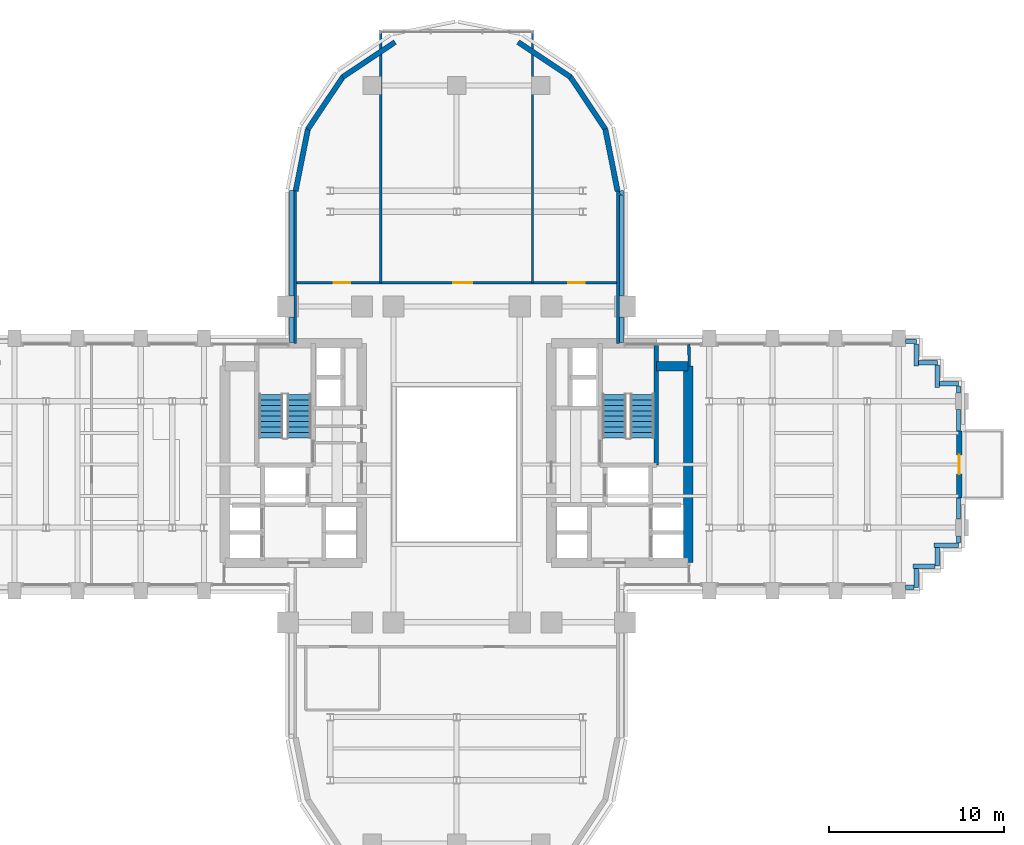
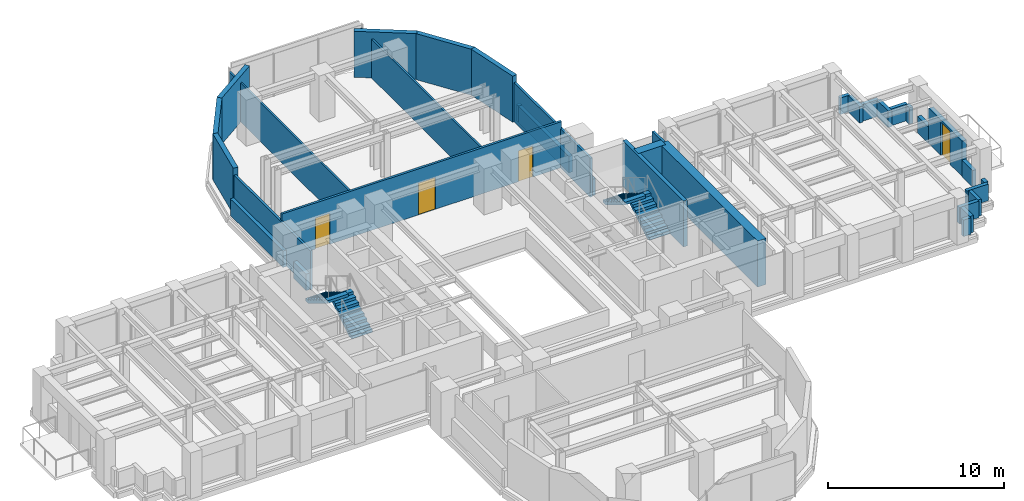
# One storey, part 12 of 15: 35 walls, 4 doors, 4 stair flights, 4 openings, 2 elements without a shape of their own.
"""IFC4 building model written with IfcOpenShell, lengths in metres."""

from ifc_helpers import new_model, si_unit, direction, frame, frame_2d, origin, place, context, subcontext, project, spatial, polyline, rectangle, outline, extrude, source, transform, mapped, material, layer, layer_set, type_object, element, fill, aggregate, save


model = new_model("IFC4")

# Units and contexts
model_context = context("Model", 3, precision=1e-05, world=origin(), true_north=direction((0.0, 1.0)))
body_context = subcontext(model_context, "Body", "Model", "MODEL_VIEW")
ifc_project = project(units=[si_unit("LENGTHUNIT", "METRE"), si_unit("AREAUNIT", "SQUARE_METRE"), si_unit("VOLUMEUNIT", "CUBIC_METRE"), si_unit("PLANEANGLEUNIT", "RADIAN"), si_unit("MASSUNIT", "GRAM", prefix="KILO")], contexts=[model_context])

# Site, building, storey
site_placement = place(None, origin())
site = spatial("IfcSite", under=ifc_project, at=site_placement, CompositionType="ELEMENT")
building_placement = place(site_placement, origin())
building = spatial("IfcBuilding", under=site, at=building_placement, Name="Keilestroom Media Tower", CompositionType="ELEMENT")
storey_placement = place(building_placement, frame((0.0, 0.0, 40.800048828125)))
storey = spatial("IfcBuildingStorey", under=building, at=storey_placement, Name="L09", CompositionType="ELEMENT", Elevation=40.800048828125)

# Walls
ifc_material_1 = material(Name="Precast concrete C40/50", Category="concrete")
ifc_layer_1 = layer(ifc_material_1, 0.300048828125)
ifc_layer_set_1 = layer_set([ifc_layer_1], Name="Precast concrete C40/50")
wall_type_1 = type_object("IfcWallType", Name="Exterior-Masonry-Spandrel-Wall-300", PredefinedType="SOLIDWALL", material=ifc_layer_set_1)
for number, where, z_axis, x_axis, name in (
    (1, (9.1748046875, 15.585205078125, 0.0), (0.0, 0.0, 1.0), (-0.195114232679, 0.980780523974, 0.0), "L09 Lobe Facet Precast Frame Wall 01"),
    (2, (8.48193359375, 19.097412109375, 0.0), (0.0, 0.0, 1.0), (-0.555574187116, 0.831466970246, 0.0), "L09 Lobe Facet Precast Frame Wall 02"),
):
    element("IfcWall", number, at=place(storey_placement, frame(where, z_axis=z_axis, x_axis=x_axis)), inside=storey, type_object=wall_type_1, Name=name, PredefinedType="SOLIDWALL", context=body_context, shape_type="SweptSolid", body=[
        extrude(rectangle(XDim=3.608642578125, YDim=0.300048828125, at=frame_2d((1.80419921875, 0.0))), origin(), (0.0, 0.0, 1.0), 3.199951171875),
    ])
for number, where, z_axis, x_axis, name in (
    (3, (6.497802734375, 22.0771484375, 0.0), (0.0, 0.0, 1.0), (-0.8314749531, 0.555562239868, 0.0), "L09 Lobe Facet Precast Frame Wall 03"),
    (4, (-3.510009765625, 24.073486328125, 0.0), (0.0, 0.0, 1.0), (-0.8314749531, -0.555562239868, 0.0), "L09 Lobe Facet Precast Frame Wall 04"),
):
    element("IfcWall", number, at=place(storey_placement, frame(where, z_axis=z_axis, x_axis=x_axis)), inside=storey, type_object=wall_type_1, Name=name, PredefinedType="SOLIDWALL", context=body_context, shape_type="SweptSolid", body=[
        extrude(rectangle(XDim=3.59326171875, YDim=0.300048828125, at=frame_2d((1.796630859375, 0.0))), origin(), (0.0, 0.0, 1.0), 3.199951171875),
    ])
for number, where, z_axis, x_axis, name in (
    (5, (-6.47705078125, 22.097900390625, 0.0), (0.0, 0.0, 1.0), (-0.555574187116, -0.831466970246, 0.0), "L09 Lobe Facet Precast Frame Wall 05"),
    (6, (-8.470703125, 19.12451171875, 0.0), (0.0, 0.0, 1.0), (-0.195114232679, -0.980780523974, 0.0), "L09 Lobe Facet Precast Frame Wall 06"),
):
    element("IfcWall", number, at=place(storey_placement, frame(where, z_axis=z_axis, x_axis=x_axis)), inside=storey, type_object=wall_type_1, Name=name, PredefinedType="SOLIDWALL", context=body_context, shape_type="SweptSolid", body=[
        extrude(rectangle(XDim=3.608642578125, YDim=0.300048828125, at=frame_2d((1.80419921875, 0.0))), origin(), (0.0, 0.0, 1.0), 3.199951171875),
    ])

# Wall, opening, door
wall_1_placement = place(storey_placement, frame((28.64990234375, -1.89990234375, 0.0), z_axis=(0.0, 0.0, 1.0), x_axis=(0.0, 1.0, 0.0)))
wall_1 = element("IfcWall", 7, at=wall_1_placement, inside=storey, type_object=wall_type_1, Name="L09 Terrace Threshold Wall L09-E", PredefinedType="SOLIDWALL", context=body_context, shape_type="SweptSolid", body=[
    extrude(rectangle(XDim=3.7998046875, YDim=0.300048828125, at=frame_2d((1.89990234375, 0.0))), origin(), (0.0, 0.0, 1.0), 2.449951171875),
])
opening_1_placement = place(wall_1_placement, frame((1.35009765625, 0.0, 0.0)))
opening_1 = element("IfcOpeningElement", 8, at=opening_1_placement, cuts=wall_1, Name="Opening DE-02", PredefinedType="OPENING", context=body_context, shape_type="SweptSolid", body=[
    extrude(rectangle(XDim=1.10009765625, YDim=2.300048828125, at=frame_2d((0.550048828125, 1.14990234375))), frame((0.0, 0.16015625, 0.0), z_axis=(0.0, -1.0, 0.0), x_axis=(1.0, 0.0, 0.0)), (0.0, 0.0, 1.0), 0.320068359375),
])
ifc_material_2 = material(Name="Thermally Broken Aluminium & Laminated Glass", Category="aluminium")
door_type_1 = type_object("IfcDoorType", Name="Exterior-Entrance-And-Terrace-Door-DE-02", OperationType="NOTDEFINED", PredefinedType="DOOR", material=ifc_material_2)
shared_shape_1 = source(origin(), body_context, "Body", "SweptSolid", [
    extrude(rectangle(XDim=1.10009765625, YDim=2.300048828125, at=frame_2d((0.550048828125, 1.14990234375))), frame((0.0, 0.02490234375, 0.0), z_axis=(0.0, -1.0, 0.0), x_axis=(1.0, 0.0, 0.0)), (0.0, 0.0, 1.0), 0.050048828125),
])
door_1_placement = place(opening_1_placement, frame((1.10009765625, 0.0, 0.0), z_axis=(0.0, 0.0, 1.0), x_axis=(-1.0, 0.0, 0.0)))
door_1 = element("IfcDoor", 9, at=door_1_placement, inside=storey, type_object=door_type_1, Name="L09 Terrace Access Door DE-02 L09-E", OperationType="SINGLE_SWING_RIGHT", OverallHeight=2.300048828125, OverallWidth=1.10009765625, PredefinedType="DOOR", context=body_context, shape_type="MappedRepresentation", body=[
    mapped(shared_shape_1, transform((0.0, 0.0, 0.0), x_axis=(1.0, 0.0, 0.0), y_axis=(0.0, 1.0, 0.0), z_axis=(0.0, 0.0, 1.0), scale=1.0)),
])
fill(opening_1, door_1)

# Walls
ifc_material_3 = material(Name="Gypsum Plasterboard & Steel Stud", Category="steel")
ifc_layer_2 = layer(ifc_material_3, 0.1201171875)
ifc_layer_set_2 = layer_set([ifc_layer_2], Name="Gypsum Plasterboard & Steel Stud")
wall_type_2 = type_object("IfcWallType", Name="Interior-Partition-Wall-120", PredefinedType="PARTITIONING", material=ifc_layer_set_2)
for number, where, z_axis, x_axis, name in (
    (10, (-4.320068359375, 10.35009765625, 0.0), (0.0, 0.0, 1.0), (0.0, 1.0, 0.0), "L09 Interior Wall WP-L09-NL-VW"),
    (11, (4.320068359375, 10.35009765625, 0.0), (0.0, 0.0, 1.0), (0.0, 1.0, 0.0), "L09 Interior Wall WP-L09-NL-VE"),
):
    element("IfcWall", number, at=place(storey_placement, frame(where, z_axis=z_axis, x_axis=x_axis)), inside=storey, type_object=wall_type_2, Name=name, PredefinedType="PARTITIONING", context=body_context, shape_type="SweptSolid", body=[
        extrude(rectangle(XDim=14.2998046875, YDim=0.1201171875, at=frame_2d((7.14990234375, 0.0))), origin(), (0.0, 0.0, 1.0), 2.7099609375),
    ])

# Wall, openings, doors
ifc_layer_3 = layer(ifc_material_3, 0.14990234375)
ifc_layer_set_3 = layer_set([ifc_layer_3], Name="Gypsum Plasterboard & Steel Stud")
wall_type_3 = type_object("IfcWallType", Name="Interior-Partition-Wall-150", PredefinedType="PARTITIONING", material=ifc_layer_set_3)
wall_2_placement = place(storey_placement, frame((-9.199951171875, 10.35009765625, 0.0), z_axis=(0.0, 0.0, 1.0), x_axis=(1.0, 0.0, 0.0)))
wall_2 = element("IfcWall", 12, at=wall_2_placement, inside=storey, type_object=wall_type_3, Name="L09 Interior Wall WP-L09-NL-BASE", PredefinedType="PARTITIONING", context=body_context, shape_type="SweptSolid", body=[
    extrude(rectangle(XDim=18.39990234375, YDim=0.14990234375, at=frame_2d((9.199951171875, 0.0))), origin(), (0.0, 0.0, 1.0), 3.199951171875),
])
opening_2_placement = place(wall_2_placement, frame((2.199951171875, 0.0, 0.0)))
opening_2 = element("IfcOpeningElement", 13, at=opening_2_placement, cuts=wall_2, Name="Opening DI-03", PredefinedType="OPENING", context=body_context, shape_type="SweptSolid", body=[
    extrude(rectangle(XDim=0.949951171875, YDim=2.14990234375, at=frame_2d((0.47509765625, 1.074951171875))), frame((0.0, 0.0849609375, 0.0), z_axis=(0.0, -1.0, 0.0), x_axis=(1.0, 0.0, 0.0)), (0.0, 0.0, 1.0), 0.169921875),
])
opening_3_placement = place(wall_2_placement, frame((9.0, 0.0, 0.0)))
opening_3 = element("IfcOpeningElement", 14, at=opening_3_placement, cuts=wall_2, Name="Opening DI-04", PredefinedType="OPENING", context=body_context, shape_type="SweptSolid", body=[
    extrude(rectangle(XDim=1.10009765625, YDim=2.199951171875, at=frame_2d((0.550048828125, 1.10009765625))), frame((0.0, 0.0849609375, 0.0), z_axis=(0.0, -1.0, 0.0), x_axis=(1.0, 0.0, 0.0)), (0.0, 0.0, 1.0), 0.169921875),
])
opening_4_placement = place(wall_2_placement, frame((15.550048828125, 0.0, 0.0)))
opening_4 = element("IfcOpeningElement", 15, at=opening_4_placement, cuts=wall_2, Name="Opening DI-03", PredefinedType="OPENING", context=body_context, shape_type="SweptSolid", body=[
    extrude(rectangle(XDim=0.949951171875, YDim=2.14990234375, at=frame_2d((0.47509765625, 1.074951171875))), frame((0.0, 0.0849609375, 0.0), z_axis=(0.0, -1.0, 0.0), x_axis=(1.0, 0.0, 0.0)), (0.0, 0.0, 1.0), 0.169921875),
])
ifc_material_4 = material(Name="Lacquered European Oak Leaf", Category="wood")
door_type_2 = type_object("IfcDoorType", Name="Interior-Room-And-Suite-Door-DI-03", OperationType="NOTDEFINED", PredefinedType="DOOR", material=ifc_material_4)
shared_shape_2 = source(origin(), body_context, "Body", "SweptSolid", [
    extrude(rectangle(XDim=0.949951171875, YDim=2.14990234375, at=frame_2d((0.47509765625, 1.074951171875))), frame((0.0, 0.02490234375, 0.0), z_axis=(0.0, -1.0, 0.0), x_axis=(1.0, 0.0, 0.0)), (0.0, 0.0, 1.0), 0.050048828125),
])
door_2_placement = place(opening_2_placement, origin())
door_2 = element("IfcDoor", 16, at=door_2_placement, inside=storey, type_object=door_type_2, Name="L09 Interior Door DI-L09-DNL-W", OperationType="SINGLE_SWING_LEFT", OverallHeight=2.14990234375, OverallWidth=0.949951171875, PredefinedType="DOOR", context=body_context, shape_type="MappedRepresentation", body=[
    mapped(shared_shape_2, transform((0.0, 0.0, 0.0), x_axis=(1.0, 0.0, 0.0), y_axis=(0.0, 1.0, 0.0), z_axis=(0.0, 0.0, 1.0), scale=1.0)),
])
fill(opening_2, door_2)
door_3_placement = place(opening_4_placement, origin())
door_3 = element("IfcDoor", 17, at=door_3_placement, inside=storey, type_object=door_type_2, Name="L09 Interior Door DI-L09-DNL-E", OperationType="SINGLE_SWING_LEFT", OverallHeight=2.14990234375, OverallWidth=0.949951171875, PredefinedType="DOOR", context=body_context, shape_type="MappedRepresentation", body=[
    mapped(shared_shape_2, transform((0.0, 0.0, 0.0), x_axis=(1.0, 0.0, 0.0), y_axis=(0.0, 1.0, 0.0), z_axis=(0.0, 0.0, 1.0), scale=1.0)),
])
fill(opening_4, door_3)
ifc_material_5 = material(Name="Acoustic Glazed Aluminium Leaf", Category="aluminium")
door_type_3 = type_object("IfcDoorType", Name="Interior-Room-And-Suite-Door-DI-04", OperationType="NOTDEFINED", PredefinedType="DOOR", material=ifc_material_5)
shared_shape_3 = source(origin(), body_context, "Body", "SweptSolid", [
    extrude(rectangle(XDim=1.10009765625, YDim=2.199951171875, at=frame_2d((0.550048828125, 1.10009765625))), frame((0.0, 0.02490234375, 0.0), z_axis=(0.0, -1.0, 0.0), x_axis=(1.0, 0.0, 0.0)), (0.0, 0.0, 1.0), 0.050048828125),
])
door_4_placement = place(opening_3_placement, origin())
door_4 = element("IfcDoor", 18, at=door_4_placement, inside=storey, type_object=door_type_3, Name="L09 Interior Door DI-L09-DNL-C", OperationType="SINGLE_SWING_RIGHT", OverallHeight=2.199951171875, OverallWidth=1.10009765625, PredefinedType="DOOR", context=body_context, shape_type="MappedRepresentation", body=[
    mapped(shared_shape_3, transform((0.0, 0.0, 0.0), x_axis=(1.0, 0.0, 0.0), y_axis=(0.0, 1.0, 0.0), z_axis=(0.0, 0.0, 1.0), scale=1.0)),
])
fill(opening_3, door_4)

# Walls
for number, where, z_axis, x_axis, name in (
    (19, (-9.199951171875, 6.89990234375, 0.0), (0.0, 0.0, 1.0), (0.0, 1.0, 0.0), "L09 Interior Wall WP-L09-NL-CHKW"),
    (20, (9.199951171875, 6.89990234375, 0.0), (0.0, 0.0, 1.0), (0.0, 1.0, 0.0), "L09 Interior Wall WP-L09-NL-CHKE"),
):
    element("IfcWall", number, at=place(storey_placement, frame(where, z_axis=z_axis, x_axis=x_axis)), inside=storey, type_object=wall_type_3, Name=name, PredefinedType="PARTITIONING", context=body_context, shape_type="SweptSolid", body=[
        extrude(rectangle(XDim=8.780029296875, YDim=0.14990234375, at=frame_2d((4.39013671875, 0.0))), origin(), (0.0, 0.0, 1.0), 2.7099609375),
    ])
wall_3_placement = place(storey_placement, frame((13.260009765625, 5.60009765625, 0.0), z_axis=(0.0, 0.0, 1.0), x_axis=(-0.016013571389, 0.999871774545, 0.0)))
element("IfcWall", 21, at=wall_3_placement, inside=storey, type_object=wall_type_3, Name="L09 Interior Wall WP-L09-EA-ENTN", PredefinedType="PARTITIONING", context=body_context, shape_type="SweptSolid", body=[
    extrude(rectangle(XDim=1.250244140625, YDim=0.14990234375, at=frame_2d((0.625, 0.0))), origin(), (0.0, 0.0, 1.0), 3.199951171875),
])
ifc_material_6 = material(Name="Concrete C70/85", Category="concrete")
ifc_layer_4 = layer(ifc_material_6, 0.550048828125)
ifc_layer_set_4 = layer_set([ifc_layer_4], Name="Concrete C70/85")
wall_type_4 = type_object("IfcWallType", Name="Reinforced-Concrete-Core-Shear-Wall-550", PredefinedType="SHEAR", material=ifc_layer_set_4)
wall_4_placement = place(storey_placement, frame((13.199951171875, -5.60009765625, 0.0), z_axis=(0.0, 0.0, 1.0), x_axis=(0.0, 1.0, 0.0)))
element("IfcWall", 22, at=wall_4_placement, inside=storey, type_object=wall_type_4, Name="L09 Core Shear Wall WL-L09-CORE-E-OUT", PredefinedType="SHEAR", context=body_context, shape_type="SweptSolid", body=[
    extrude(rectangle(XDim=11.2001953125, YDim=0.550048828125, at=frame_2d((5.60009765625, 0.0))), origin(), (0.0, 0.0, 1.0), 3.199951171875),
])
wall_5_placement = place(storey_placement, frame((11.381103515625, 5.60009765625, 0.0), z_axis=(0.0, 0.0, 1.0), x_axis=(1.0, 0.0, 0.0)))
element("IfcWall", 23, at=wall_5_placement, inside=storey, type_object=wall_type_4, Name="L09 Core Shear Wall WL-L09-CNE-N", PredefinedType="SHEAR", context=body_context, shape_type="SweptSolid", body=[
    extrude(rectangle(XDim=1.81884765625, YDim=0.550048828125, at=frame_2d((0.909423828125, 0.0))), origin(), (0.0, 0.0, 1.0), 3.199951171875),
])
ifc_material_7 = material(Name="Concrete C50/60", Category="concrete")
ifc_layer_5 = layer(ifc_material_7, 0.25)
ifc_layer_set_5 = layer_set([ifc_layer_5], Name="Concrete C50/60")
wall_type_5 = type_object("IfcWallType", Name="Reinforced-Concrete-Shaft-Wall-250", PredefinedType="SOLIDWALL", material=ifc_layer_set_5)
wall_6_placement = place(storey_placement, frame((11.381103515625, -0.041015625, 0.0), z_axis=(0.0, 0.0, 1.0), x_axis=(0.0, 1.0, 0.0)))
element("IfcWall", 24, at=wall_6_placement, inside=storey, type_object=wall_type_5, Name="L09 Core Shear Wall WL-L09-STW-E-FAR", PredefinedType="SOLIDWALL", context=body_context, shape_type="SweptSolid", body=[
    extrude(rectangle(XDim=6.94091796875, YDim=0.25, at=frame_2d((3.470458984375, 0.0))), origin(), (0.0, 0.0, 1.0), 3.199951171875),
])
ifc_layer_6 = layer(ifc_material_1, 0.239990234375)
ifc_layer_set_6 = layer_set([ifc_layer_6], Name="Precast concrete C40/50")
wall_type_6 = type_object("IfcWallType", Name="Roof-And-Terrace-Parapet-Wall-240", PredefinedType="PARAPET", material=ifc_layer_set_6)
wall_7_placement = place(storey_placement, frame((28.60009765625, -4.60009765625, 0.0), z_axis=(0.0, 0.0, 1.0), x_axis=(-1.0, 0.0, 0.0)))
element("IfcWall", 25, at=wall_7_placement, inside=storey, type_object=wall_type_6, Name="L09 Perimeter Edge Parapet Wall 01", PredefinedType="PARAPET", context=body_context, shape_type="SweptSolid", body=[
    extrude(rectangle(XDim=1.400146484375, YDim=0.239990234375, at=frame_2d((0.7001953125, 0.0))), origin(), (0.0, 0.0, 1.0), 1.14990234375),
])
wall_8_placement = place(storey_placement, frame((27.39990234375, -4.722900390625, 0.0), z_axis=(0.0, 0.0, 1.0), x_axis=(0.0, -1.0, 0.0)))
element("IfcWall", 26, at=wall_8_placement, inside=storey, type_object=wall_type_6, Name="L09 Perimeter Edge Parapet Wall 02", PredefinedType="PARAPET", context=body_context, shape_type="SweptSolid", body=[
    extrude(rectangle(XDim=1.0771484375, YDim=0.239990234375, at=frame_2d((0.53857421875, 0.0))), origin(), (0.0, 0.0, 1.0), 1.14990234375),
])
wall_9_placement = place(storey_placement, frame((27.277099609375, -5.800048828125, 0.0), z_axis=(0.0, 0.0, 1.0), x_axis=(-1.0, 0.0, 0.0)))
element("IfcWall", 27, at=wall_9_placement, inside=storey, type_object=wall_type_6, Name="L09 Perimeter Edge Parapet Wall 03", PredefinedType="PARAPET", context=body_context, shape_type="SweptSolid", body=[
    extrude(rectangle(XDim=1.277099609375, YDim=0.239990234375, at=frame_2d((0.638671875, 0.0))), origin(), (0.0, 0.0, 1.0), 1.14990234375),
])
wall_10_placement = place(storey_placement, frame((26.199951171875, -5.923095703125, 0.0), z_axis=(0.0, 0.0, 1.0), x_axis=(0.0, -1.0, 0.0)))
element("IfcWall", 28, at=wall_10_placement, inside=storey, type_object=wall_type_6, Name="L09 Perimeter Edge Parapet Wall 04", PredefinedType="PARAPET", context=body_context, shape_type="SweptSolid", body=[
    extrude(rectangle(XDim=1.076904296875, YDim=0.239990234375, at=frame_2d((0.53857421875, 0.0))), origin(), (0.0, 0.0, 1.0), 1.14990234375),
])
wall_11_placement = place(storey_placement, frame((26.076904296875, -7.0, 0.0), z_axis=(0.0, 0.0, 1.0), x_axis=(-1.0, 0.0, 0.0)))
element("IfcWall", 29, at=wall_11_placement, inside=storey, type_object=wall_type_6, Name="L09 Perimeter Edge Parapet Wall 05", PredefinedType="PARAPET", context=body_context, shape_type="SweptSolid", body=[
    extrude(rectangle(XDim=0.4990234375, YDim=0.239990234375, at=frame_2d((0.24951171875, 0.0))), origin(), (0.0, 0.0, 1.0), 1.14990234375),
])
wall_12_placement = place(storey_placement, frame((-9.39990234375, 6.952880859375, 0.0), z_axis=(0.0, 0.0, 1.0), x_axis=(0.0, 1.0, 0.0)))
element("IfcWall", 30, at=wall_12_placement, inside=storey, type_object=wall_type_6, Name="L09 Perimeter Edge Parapet Wall 26", PredefinedType="PARAPET", context=body_context, shape_type="SweptSolid", body=[
    extrude(rectangle(XDim=1.444091796875, YDim=0.239990234375, at=frame_2d((0.72216796875, 0.0))), origin(), (0.0, 0.0, 1.0), 1.14990234375),
])
wall_13_placement = place(storey_placement, frame((-9.39990234375, 9.60302734375, 0.0), z_axis=(0.0, 0.0, 1.0), x_axis=(0.0, 1.0, 0.0)))
element("IfcWall", 31, at=wall_13_placement, inside=storey, type_object=wall_type_6, Name="L09 Perimeter Edge Parapet Wall 27", PredefinedType="PARAPET", context=body_context, shape_type="SweptSolid", body=[
    extrude(rectangle(XDim=5.999755859375, YDim=0.239990234375, at=frame_2d((3.0, 0.0))), origin(), (0.0, 0.0, 1.0), 1.14990234375),
])
wall_14_placement = place(storey_placement, frame((9.395263671875, 15.604248046875, 0.0), z_axis=(0.0, 0.0, 1.0), x_axis=(0.194652052864, -0.980872355771, 0.0)))
element("IfcWall", 32, at=wall_14_placement, inside=storey, type_object=wall_type_6, Name="L09 Perimeter Edge Parapet Wall 28", PredefinedType="PARAPET", context=body_context, shape_type="SweptSolid", body=[
    extrude(rectangle(XDim=0.224609375, YDim=0.239990234375, at=frame_2d((0.1123046875, 0.0))), origin(), (0.0, 0.0, 1.0), 1.14990234375),
])
wall_15_placement = place(storey_placement, frame((9.39990234375, 15.357666015625, 0.0), z_axis=(0.0, 0.0, 1.0), x_axis=(0.0, -1.0, 0.0)))
element("IfcWall", 33, at=wall_15_placement, inside=storey, type_object=wall_type_6, Name="L09 Perimeter Edge Parapet Wall 29", PredefinedType="PARAPET", context=body_context, shape_type="SweptSolid", body=[
    extrude(rectangle(XDim=5.754638671875, YDim=0.239990234375, at=frame_2d((2.87744140625, 0.0))), origin(), (0.0, 0.0, 1.0), 1.14990234375),
])
wall_16_placement = place(storey_placement, frame((9.39990234375, 8.39697265625, 0.0), z_axis=(0.0, 0.0, 1.0), x_axis=(0.0, -1.0, 0.0)))
element("IfcWall", 34, at=wall_16_placement, inside=storey, type_object=wall_type_6, Name="L09 Perimeter Edge Parapet Wall 30", PredefinedType="PARAPET", context=body_context, shape_type="SweptSolid", body=[
    extrude(rectangle(XDim=1.444091796875, YDim=0.239990234375, at=frame_2d((0.72216796875, 0.0))), origin(), (0.0, 0.0, 1.0), 1.14990234375),
])
wall_17_placement = place(storey_placement, frame((25.577880859375, 7.0, 0.0), z_axis=(0.0, 0.0, 1.0), x_axis=(1.0, 0.0, 0.0)))
element("IfcWall", 35, at=wall_17_placement, inside=storey, type_object=wall_type_6, Name="L09 Perimeter Edge Parapet Wall 31", PredefinedType="PARAPET", context=body_context, shape_type="SweptSolid", body=[
    extrude(rectangle(XDim=0.6220703125, YDim=0.239990234375, at=frame_2d((0.31103515625, 0.0))), origin(), (0.0, 0.0, 1.0), 1.14990234375),
])
wall_18_placement = place(storey_placement, frame((26.199951171875, 6.876953125, 0.0), z_axis=(0.0, 0.0, 1.0), x_axis=(0.0, -1.0, 0.0)))
element("IfcWall", 36, at=wall_18_placement, inside=storey, type_object=wall_type_6, Name="L09 Perimeter Edge Parapet Wall 32", PredefinedType="PARAPET", context=body_context, shape_type="SweptSolid", body=[
    extrude(rectangle(XDim=1.27685546875, YDim=0.239990234375, at=frame_2d((0.638427734375, 0.0))), origin(), (0.0, 0.0, 1.0), 1.14990234375),
])
wall_19_placement = place(storey_placement, frame((26.322998046875, 5.800048828125, 0.0), z_axis=(0.0, 0.0, 1.0), x_axis=(1.0, 0.0, 0.0)))
element("IfcWall", 37, at=wall_19_placement, inside=storey, type_object=wall_type_6, Name="L09 Perimeter Edge Parapet Wall 33", PredefinedType="PARAPET", context=body_context, shape_type="SweptSolid", body=[
    extrude(rectangle(XDim=1.076904296875, YDim=0.239990234375, at=frame_2d((0.53857421875, 0.0))), origin(), (0.0, 0.0, 1.0), 1.14990234375),
])
wall_20_placement = place(storey_placement, frame((27.39990234375, 5.677001953125, 0.0), z_axis=(0.0, 0.0, 1.0), x_axis=(0.0, -1.0, 0.0)))
element("IfcWall", 38, at=wall_20_placement, inside=storey, type_object=wall_type_6, Name="L09 Perimeter Edge Parapet Wall 34", PredefinedType="PARAPET", context=body_context, shape_type="SweptSolid", body=[
    extrude(rectangle(XDim=1.277099609375, YDim=0.239990234375, at=frame_2d((0.638671875, 0.0))), origin(), (0.0, 0.0, 1.0), 1.14990234375),
])
wall_21_placement = place(storey_placement, frame((27.52294921875, 4.60009765625, 0.0), z_axis=(0.0, 0.0, 1.0), x_axis=(1.0, 0.0, 0.0)))
element("IfcWall", 39, at=wall_21_placement, inside=storey, type_object=wall_type_6, Name="L09 Perimeter Edge Parapet Wall 35", PredefinedType="PARAPET", context=body_context, shape_type="SweptSolid", body=[
    extrude(rectangle(XDim=1.0771484375, YDim=0.239990234375, at=frame_2d((0.53857421875, 0.0))), origin(), (0.0, 0.0, 1.0), 1.14990234375),
])
wall_22_placement = place(storey_placement, frame((28.60009765625, 4.47705078125, 0.0), z_axis=(0.0, 0.0, 1.0), x_axis=(0.0, -1.0, 0.0)))
element("IfcWall", 40, at=wall_22_placement, inside=storey, type_object=wall_type_6, Name="L09 Perimeter Edge Parapet Wall 36", PredefinedType="PARAPET", context=body_context, shape_type="SweptSolid", body=[
    extrude(rectangle(XDim=0.399169921875, YDim=0.239990234375, at=frame_2d((0.19970703125, 0.0))), origin(), (0.0, 0.0, 1.0), 1.14990234375),
])
for number, where, z_axis, x_axis, name in (
    (41, (28.60009765625, 3.1220703125, 0.0), (0.0, 0.0, 1.0), (0.0, -1.0, 0.0), "L09 Perimeter Edge Parapet Wall 37"),
    (42, (28.60009765625, -1.903076171875, 0.0), (0.0, 0.0, 1.0), (0.0, -1.0, 0.0), "L09 Perimeter Edge Parapet Wall 38"),
):
    element("IfcWall", number, at=place(storey_placement, frame(where, z_axis=z_axis, x_axis=x_axis)), inside=storey, type_object=wall_type_6, Name=name, PredefinedType="PARAPET", context=body_context, shape_type="SweptSolid", body=[
        extrude(rectangle(XDim=1.218994140625, YDim=0.239990234375, at=frame_2d((0.609375, 0.0))), origin(), (0.0, 0.0, 1.0), 1.14990234375),
    ])
wall_23_placement = place(storey_placement, frame((28.60009765625, -4.077880859375, 0.0), z_axis=(0.0, 0.0, 1.0), x_axis=(0.0, -1.0, 0.0)))
element("IfcWall", 43, at=wall_23_placement, inside=storey, type_object=wall_type_6, Name="L09 Perimeter Edge Parapet Wall 39", PredefinedType="PARAPET", context=body_context, shape_type="SweptSolid", body=[
    extrude(rectangle(XDim=0.399169921875, YDim=0.239990234375, at=frame_2d((0.19970703125, 0.0))), origin(), (0.0, 0.0, 1.0), 1.14990234375),
])

# Stair, stair flights
ifc_material_8 = material(Name="Concrete C45/55", Category="concrete")
stair_type = type_object("IfcStairType", Name="Enclosed-Dog-Leg-Stair-ST-CORE", PredefinedType="HALF_TURN_STAIR", material=ifc_material_8)
stair_1_placement = place(storey_placement, origin())
stair_1 = element("IfcStair", 44, at=stair_1_placement, inside=storey, type_object=stair_type, Name="L09 West Core Escape Stair ST-1", PredefinedType="HALF_TURN_STAIR")
stair_flight_type = type_object("IfcStairFlightType", Name="Precast-Concrete-Stair-Flight-Core-160", PredefinedType="STRAIGHT", material=ifc_material_1)
stair_flight_1_placement = place(storey_placement, frame((-8.97998046875, 1.5, 0.0), z_axis=(0.0, 0.0, 1.0), x_axis=(0.0, 1.0, 0.0)))
stair_flight_1 = element("IfcStairFlight", 45, at=stair_flight_1_placement, type_object=stair_flight_type, Name="ST-1 flight 1", NumberOfRisers=9, NumberOfTreads=8, PredefinedType="STRAIGHT", RiserHeight=0.188888889, TreadLength=0.312, context=body_context, shape_type="SweptSolid", body=[
    extrude(outline(polyline([(0.0, 0.0), (0.0, 0.18896484375), (0.31201171875, 0.18896484375), (0.31201171875, 0.377685546875), (0.6240234375, 0.377685546875), (0.6240234375, 0.566650390625), (0.93603515625, 0.566650390625), (0.93603515625, 0.755615234375), (1.248046875, 0.755615234375), (1.248046875, 0.9443359375), (1.56005859375, 0.9443359375), (1.56005859375, 1.13330078125), (1.8720703125, 1.13330078125), (1.8720703125, 1.322265625), (2.18408203125, 1.322265625), (2.18408203125, 1.51123046875), (2.49609375, 1.51123046875), (2.49609375, 1.699951171875), (2.49609375, 1.32421875), (0.308837890625, 0.0), (0.0, 0.0)])), frame((0.0, 0.68017578125, 0.0), z_axis=(0.0, -1.0, 0.0), x_axis=(1.0, 0.0, 0.0)), (0.0, 0.0, 1.0), 1.360107421875),
])
stair_flight_2_placement = place(storey_placement, frame((-10.580078125, 3.99609375, 1.699951171875), z_axis=(0.0, 0.0, 1.0), x_axis=(0.0, -1.0, 0.0)))
stair_flight_2 = element("IfcStairFlight", 46, at=stair_flight_2_placement, type_object=stair_flight_type, Name="ST-1 flight 2", NumberOfRisers=9, NumberOfTreads=8, PredefinedType="STRAIGHT", RiserHeight=0.188888889, TreadLength=0.312, context=body_context, shape_type="SweptSolid", body=[
    extrude(outline(polyline([(0.0, 0.0), (0.0, 0.18896484375), (0.31201171875, 0.18896484375), (0.31201171875, 0.377685546875), (0.6240234375, 0.377685546875), (0.6240234375, 0.566650390625), (0.93603515625, 0.566650390625), (0.93603515625, 0.755615234375), (1.248046875, 0.755615234375), (1.248046875, 0.9443359375), (1.56005859375, 0.9443359375), (1.56005859375, 1.13330078125), (1.8720703125, 1.13330078125), (1.8720703125, 1.322265625), (2.18408203125, 1.322265625), (2.18408203125, 1.51123046875), (2.49609375, 1.51123046875), (2.49609375, 1.699951171875), (2.49609375, 1.32421875), (0.308837890625, 0.0), (0.0, 0.0)])), frame((0.0, 0.68017578125, 0.0), z_axis=(0.0, -1.0, 0.0), x_axis=(1.0, 0.0, 0.0)), (0.0, 0.0, 1.0), 1.360107421875),
])
aggregate(stair_1, [stair_flight_1, stair_flight_2])

stair_2_placement = place(storey_placement, origin())
stair_2 = element("IfcStair", 47, at=stair_2_placement, inside=storey, type_object=stair_type, Name="L09 East Core Escape Stair ST-2", PredefinedType="HALF_TURN_STAIR")
stair_flight_3_placement = place(storey_placement, frame((10.580078125, 1.5, 0.0), z_axis=(0.0, 0.0, 1.0), x_axis=(0.0, 1.0, 0.0)))
stair_flight_3 = element("IfcStairFlight", 48, at=stair_flight_3_placement, type_object=stair_flight_type, Name="ST-2 flight 1", NumberOfRisers=9, NumberOfTreads=8, PredefinedType="STRAIGHT", RiserHeight=0.188888889, TreadLength=0.312, context=body_context, shape_type="SweptSolid", body=[
    extrude(outline(polyline([(0.0, 0.0), (0.0, 0.18896484375), (0.31201171875, 0.18896484375), (0.31201171875, 0.377685546875), (0.6240234375, 0.377685546875), (0.6240234375, 0.566650390625), (0.93603515625, 0.566650390625), (0.93603515625, 0.755615234375), (1.248046875, 0.755615234375), (1.248046875, 0.9443359375), (1.56005859375, 0.9443359375), (1.56005859375, 1.13330078125), (1.8720703125, 1.13330078125), (1.8720703125, 1.322265625), (2.18408203125, 1.322265625), (2.18408203125, 1.51123046875), (2.49609375, 1.51123046875), (2.49609375, 1.699951171875), (2.49609375, 1.32421875), (0.308837890625, 0.0), (0.0, 0.0)])), frame((0.0, 0.68017578125, 0.0), z_axis=(0.0, -1.0, 0.0), x_axis=(1.0, 0.0, 0.0)), (0.0, 0.0, 1.0), 1.360107421875),
])
stair_flight_4_placement = place(storey_placement, frame((8.97998046875, 3.99609375, 1.699951171875), z_axis=(0.0, 0.0, 1.0), x_axis=(0.0, -1.0, 0.0)))
stair_flight_4 = element("IfcStairFlight", 49, at=stair_flight_4_placement, type_object=stair_flight_type, Name="ST-2 flight 2", NumberOfRisers=9, NumberOfTreads=8, PredefinedType="STRAIGHT", RiserHeight=0.188888889, TreadLength=0.312, context=body_context, shape_type="SweptSolid", body=[
    extrude(outline(polyline([(0.0, 0.0), (0.0, 0.18896484375), (0.31201171875, 0.18896484375), (0.31201171875, 0.377685546875), (0.6240234375, 0.377685546875), (0.6240234375, 0.566650390625), (0.93603515625, 0.566650390625), (0.93603515625, 0.755615234375), (1.248046875, 0.755615234375), (1.248046875, 0.9443359375), (1.56005859375, 0.9443359375), (1.56005859375, 1.13330078125), (1.8720703125, 1.13330078125), (1.8720703125, 1.322265625), (2.18408203125, 1.322265625), (2.18408203125, 1.51123046875), (2.49609375, 1.51123046875), (2.49609375, 1.699951171875), (2.49609375, 1.32421875), (0.308837890625, 0.0), (0.0, 0.0)])), frame((0.0, 0.68017578125, 0.0), z_axis=(0.0, -1.0, 0.0), x_axis=(1.0, 0.0, 0.0)), (0.0, 0.0, 1.0), 1.360107421875),
])
aggregate(stair_2, [stair_flight_3, stair_flight_4])

save(model, "model.ifc")
